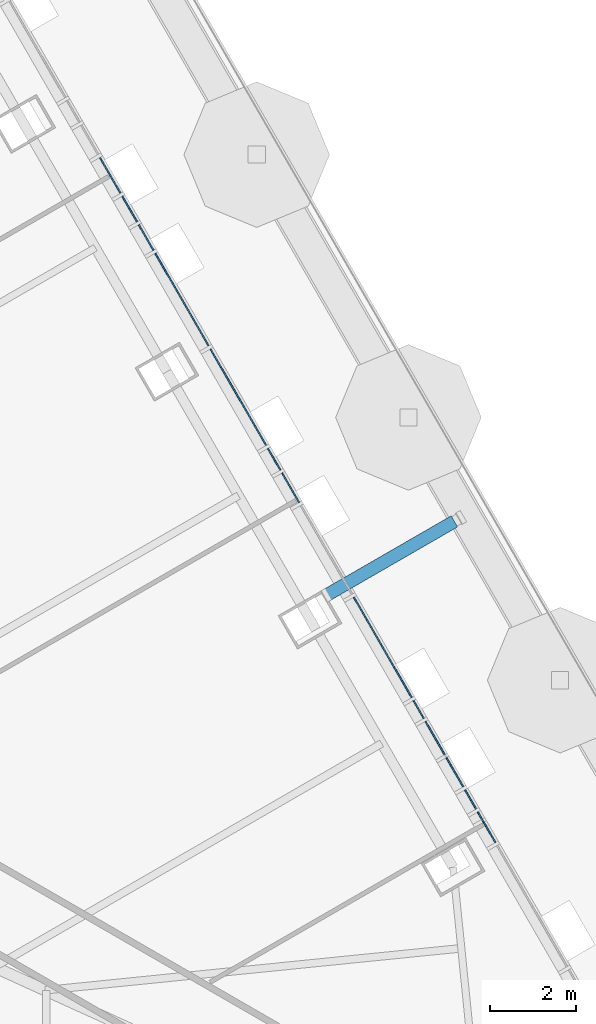
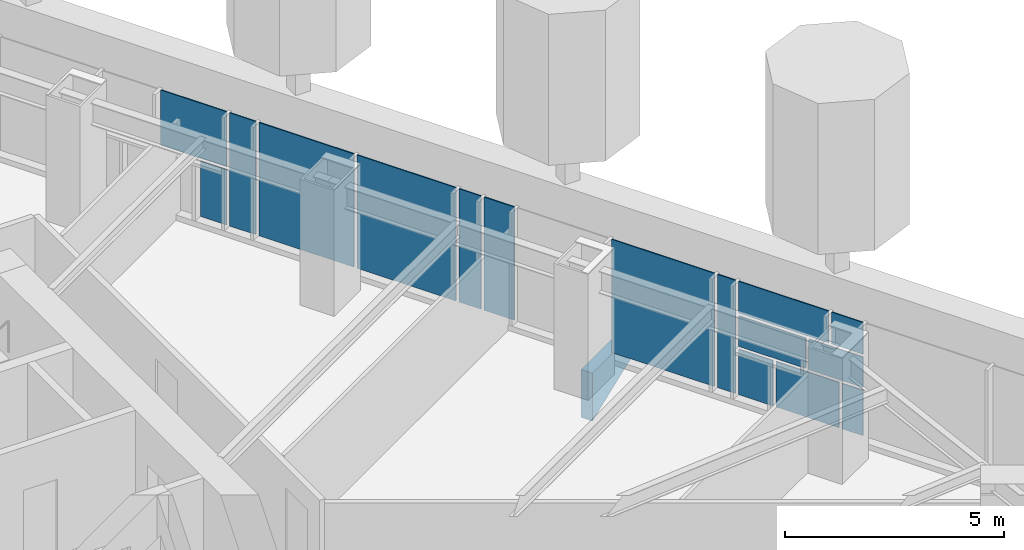
# One storey, part 13 of 24: 17 plates, 1 element without a shape of its own.
"""IFC4 building model written with IfcOpenShell, lengths in metres."""

from ifc_helpers import new_model, si_unit, direction, frame, origin, place, context, subcontext, project, spatial, polyline, outline, extrude, material, layer, layer_set, type_object, element, aggregate, save


model = new_model("IFC4")

# Units and contexts
model_context = context("Model", 3, precision=1e-05, world=origin(), true_north=direction((0.0, 1.0)))
body_context = subcontext(model_context, "Body", "Model", "MODEL_VIEW")
ifc_project = project(units=[si_unit("LENGTHUNIT", "METRE"), si_unit("AREAUNIT", "SQUARE_METRE"), si_unit("VOLUMEUNIT", "CUBIC_METRE"), si_unit("PLANEANGLEUNIT", "RADIAN"), si_unit("MASSUNIT", "GRAM", prefix="KILO")], contexts=[model_context])

# Site, building, storey
site_placement = place(None, origin())
site = spatial("IfcSite", under=ifc_project, at=site_placement, CompositionType="ELEMENT")
building_placement = place(site_placement, origin())
building = spatial("IfcBuilding", under=site, at=building_placement, Name="Firuza Gate Tower and Library", CompositionType="ELEMENT")
storey_placement = place(building_placement, frame((0.0, 0.0, 267.10009765625)))
storey = spatial("IfcBuildingStorey", under=building, at=storey_placement, Name="L63", CompositionType="ELEMENT", Elevation=267.10009765625)

# Curtain wall, plates
ifc_material_1 = material(Name="Aluminium 6063-T6", Category="aluminium")
ifc_layer_1 = layer(ifc_material_1, 0.14990234375)
ifc_layer_set_1 = layer_set([ifc_layer_1], Name="Unitised curtain wall, residences")
curtain_wall_type = type_object("IfcCurtainWallType", Name="Unitised curtain wall, residences", PredefinedType="NOTDEFINED", material=ifc_layer_set_1)
curtain_wall_placement = place(storey_placement, origin())
curtain_wall = element("IfcCurtainWall", 1, at=curtain_wall_placement, inside=storey, type_object=curtain_wall_type, Name="CW3 L63 E face", PredefinedType="NOTDEFINED")
ifc_material_2 = material(Name="Fritted glass", Category="glass")
ifc_layer_2 = layer(ifc_material_2, 0.030029296875)
ifc_layer_set_2 = layer_set([ifc_layer_2], Name="Fritted glass unit, residences")
plate_type_1 = type_object("IfcPlateType", Name="Fritted glass unit, residences", PredefinedType="CURTAIN_PANEL", material=ifc_layer_set_2)
plate_1_placement = place(storey_placement, frame((98.86865234375, 69.499755859375, 0.14990234375), z_axis=(0.865963477364, 0.500107244371, 0.0), x_axis=(-0.500107244371, 0.865963477364, 0.0)))
plate_1 = element("IfcPlate", 2, at=plate_1_placement, type_object=plate_type_1, Name="Glass unit", PredefinedType="CURTAIN_PANEL", context=body_context, shape_type="SweptSolid", body=[
    extrude(outline(polyline([(0.0, 0.0), (0.5491986093314583, 0.0), (0.5491986093314583, 1.260009765625), (0.0, 1.260009765625), (0.0, 0.0)])), origin(), (0.0, 0.0, -1.0), 0.030029296875),
])
plate_2_placement = place(storey_placement, frame((97.68408203125, 71.551513671875, 0.14990234375), z_axis=(0.866027204995, 0.499996880198, 0.0), x_axis=(-0.499996880198, 0.866027204995, 0.0)))
plate_2 = element("IfcPlate", 3, at=plate_2_placement, type_object=plate_type_1, Name="Glass unit", PredefinedType="CURTAIN_PANEL", context=body_context, shape_type="SweptSolid", body=[
    extrude(outline(polyline([(0.0, 0.0), (0.898443105928927, 0.0), (0.898443105928927, 1.2600097656249998), (0.0, 1.2600097656249998), (0.0, 0.0)])), origin(), (0.0, 0.0, -1.0), 0.030029296875),
])
plate_3_placement = place(storey_placement, frame((98.117919921875, 70.800048828125, 1.489990234375), z_axis=(0.866031355668, 0.499989690894, 0.0), x_axis=(-0.499989690894, 0.866031355668, 0.0)))
plate_3 = element("IfcPlate", 4, at=plate_3_placement, type_object=plate_type_1, Name="Glass unit", PredefinedType="CURTAIN_PANEL", context=body_context, shape_type="SweptSolid", body=[
    extrude(outline(polyline([(0.0, 0.0), (1.7661496960991352, 0.0), (1.7661496960991352, 0.844970703125), (0.0, 0.844970703125), (0.0, 0.0)])), origin(), (0.0, 0.0, -1.0), 0.030029296875),
])
plate_4_placement = place(storey_placement, frame((98.41748046875, 70.28125, 2.414794921875), z_axis=(0.866024007411, 0.500002418582, 0.0), x_axis=(-0.500002418582, 0.866024007411, 0.0)))
plate_4 = element("IfcPlate", 5, at=plate_4_placement, type_object=plate_type_1, Name="Glass unit", PredefinedType="CURTAIN_PANEL", context=body_context, shape_type="SweptSolid", body=[
    extrude(outline(polyline([(0.0, 0.0), (2.3652229340305713, 0.0), (2.3652229340305713, 0.885009765625), (0.0, 0.885009765625), (0.0, 0.0)])), origin(), (0.0, 0.0, -1.0), 0.030029296875),
])
plate_5_placement = place(storey_placement, frame((97.19482421875, 72.39892578125, 0.14990234375), z_axis=(0.865973120272, 0.500090546768, 0.0), x_axis=(-0.500090546768, 0.865973120272, 0.0)))
plate_5 = element("IfcPlate", 6, at=plate_5_placement, type_object=plate_type_1, Name="Glass unit", PredefinedType="CURTAIN_PANEL", context=body_context, shape_type="SweptSolid", body=[
    extrude(outline(polyline([(0.0, 0.0), (0.47842898460300054, 0.0), (0.47842898460300054, 3.14990234375), (0.0, 3.14990234375), (0.0, 0.0)])), origin(), (0.0, 0.0, -1.0), 0.030029296875),
])
plate_6_placement = place(storey_placement, frame((94.2841796875, 77.4404296875, 0.14990234375), z_axis=(0.86605750902, 0.499944387978, 0.0), x_axis=(-0.499944387978, 0.86605750902, 0.0)))
plate_6 = element("IfcPlate", 7, at=plate_6_placement, type_object=plate_type_1, Name="Glass unit", PredefinedType="CURTAIN_PANEL", context=body_context, shape_type="SweptSolid", body=[
    extrude(outline(polyline([(0.0, 0.0), (0.7935452925670253, 0.0), (0.7935452925670253, 3.14990234375), (0.0, 3.14990234375), (0.0, 0.0)])), origin(), (0.0, 0.0, -1.0), 0.030029296875),
])
plate_7_placement = place(storey_placement, frame((93.847412109375, 78.197021484375, 0.14990234375), z_axis=(0.866046247233, 0.49996389635, 0.0), x_axis=(-0.49996389635, 0.866046247233, 0.0)))
plate_7 = element("IfcPlate", 8, at=plate_7_placement, type_object=plate_type_1, Name="Glass unit", PredefinedType="CURTAIN_PANEL", context=body_context, shape_type="SweptSolid", body=[
    extrude(outline(polyline([(0.0, 0.0), (0.5835382294703995, 0.0), (0.5835382294703995, 3.14990234375), (0.0, 3.14990234375), (0.0, 0.0)])), origin(), (0.0, 0.0, -1.0), 0.030029296875),
])
plate_8_placement = place(storey_placement, frame((90.884033203125, 83.32958984375, 0.14990234375), z_axis=(0.866008413041, 0.500029427677, 0.0), x_axis=(-0.500029427677, 0.866008413041, 0.0)))
plate_8 = element("IfcPlate", 9, at=plate_8_placement, type_object=plate_type_1, Name="Glass unit", PredefinedType="CURTAIN_PANEL", context=body_context, shape_type="SweptSolid", body=[
    extrude(outline(polyline([(0.0, 0.0), (0.688436044352928, 0.0), (0.688436044352928, 3.14990234375), (0.0, 3.14990234375), (0.0, 0.0)])), origin(), (0.0, 0.0, -1.0), 0.030029296875),
])
plate_9_placement = place(storey_placement, frame((90.499755859375, 83.9951171875, 0.14990234375), z_axis=(0.866008413041, 0.500029427677, 0.0), x_axis=(-0.500029427677, 0.866008413041, 0.0)))
plate_9 = element("IfcPlate", 10, at=plate_9_placement, type_object=plate_type_1, Name="Glass unit", PredefinedType="CURTAIN_PANEL", context=body_context, shape_type="SweptSolid", body=[
    extrude(outline(polyline([(0.0, 0.0), (0.688436044352928, 0.0), (0.688436044352928, 1.534912109375), (0.0, 1.534912109375), (0.0, 0.0)])), origin(), (0.0, 0.0, -1.0), 0.030029296875),
])
plate_10_placement = place(storey_placement, frame((90.499755859375, 83.9951171875, 1.764892578125), z_axis=(0.866016800201, 0.500014901547, 0.0), x_axis=(-0.500014901547, 0.866016800201, 0.0)))
plate_10 = element("IfcPlate", 11, at=plate_10_placement, type_object=plate_type_1, Name="Glass unit", PredefinedType="CURTAIN_PANEL", context=body_context, shape_type="SweptSolid", body=[
    extrude(outline(polyline([(0.0, 0.0), (1.7343233118001717, 0.0), (1.7343233118001717, 1.534912109375), (0.0, 1.534912109375), (0.0, 0.0)])), origin(), (0.0, 0.0, -1.0), 0.030029296875),
])
ifc_material_3 = material(Name="Glazed ceramic tile")
ifc_layer_3 = layer(ifc_material_3, 0.030029296875)
ifc_layer_set_3 = layer_set([ifc_layer_3], Name="Opaque ceramic panel, residences")
plate_type_2 = type_object("IfcPlateType", Name="Opaque ceramic panel, residences", PredefinedType="CURTAIN_PANEL", material=ifc_layer_set_3)
plate_11_placement = place(storey_placement, frame((98.553955078125, 70.044677734375, 0.14990234375), z_axis=(0.866053323574, 0.499951638388, 0.0), x_axis=(-0.499951638388, 0.866053323574, 0.0)))
plate_11 = element("IfcPlate", 12, at=plate_11_placement, type_object=plate_type_2, Name="Opaque ceramic panel", PredefinedType="CURTAIN_PANEL", context=body_context, shape_type="SweptSolid", body=[
    extrude(outline(polyline([(0.0, 0.0), (1.6598285127156023, 0.0), (1.6598285127156023, 1.2600097656250002), (0.0, 1.2600097656250002), (0.0, 0.0)])), origin(), (0.0, 0.0, -1.0), 0.030029296875),
])
plate_12_placement = place(storey_placement, frame((98.86865234375, 69.499755859375, 1.489990234375), z_axis=(0.866025408043, 0.499999992624, 0.0), x_axis=(-0.499999992624, 0.866025408043, 0.0)))
plate_12 = element("IfcPlate", 13, at=plate_12_placement, type_object=plate_type_2, Name="Opaque ceramic panel", PredefinedType="CURTAIN_PANEL", context=body_context, shape_type="SweptSolid", body=[
    extrude(outline(polyline([(0.0, 0.0), (1.4213867397170752, 0.0), (1.4213867397170752, 0.844970703125), (0.0, 0.844970703125), (0.0, 0.0)])), origin(), (0.0, 0.0, -1.0), 0.030029296875),
])
plate_13_placement = place(storey_placement, frame((98.86865234375, 69.499755859375, 2.414794921875), z_axis=(0.866042210515, 0.499970888758, 0.0), x_axis=(-0.499970888758, 0.866042210515, 0.0)))
plate_13 = element("IfcPlate", 14, at=plate_13_placement, type_object=plate_type_2, Name="Opaque ceramic panel", PredefinedType="CURTAIN_PANEL", context=body_context, shape_type="SweptSolid", body=[
    extrude(outline(polyline([(0.0, 0.0), (0.8223135021343069, 0.0), (0.8223135021343069, 0.885009765625), (0.0, 0.885009765625), (0.0, 0.0)])), origin(), (0.0, 0.0, -1.0), 0.030029296875),
])
plate_14_placement = place(storey_placement, frame((96.91552734375, 72.882568359375, 0.14990234375), z_axis=(0.86601598821, 0.500016307898, 0.0), x_axis=(-0.500016307898, 0.86601598821, 0.0)))
plate_14 = element("IfcPlate", 15, at=plate_14_placement, type_object=plate_type_2, Name="Opaque ceramic panel", PredefinedType="CURTAIN_PANEL", context=body_context, shape_type="SweptSolid", body=[
    extrude(outline(polyline([(0.0, 0.0), (2.7088960222001783, 0.0), (2.7088960222001783, 3.14990234375), (0.0, 3.14990234375), (0.0, 0.0)])), origin(), (0.0, 0.0, -1.0), 0.030029296875),
])
plate_15_placement = place(storey_placement, frame((93.515625, 78.771484375, 0.14990234375), z_axis=(0.866024771944, 0.500001094379, 0.0), x_axis=(-0.500001094379, 0.866024771944, 0.0)))
plate_15 = element("IfcPlate", 16, at=plate_15_placement, type_object=plate_type_2, Name="Opaque ceramic panel", PredefinedType="CURTAIN_PANEL", context=body_context, shape_type="SweptSolid", body=[
    extrude(outline(polyline([(0.0, 0.0), (2.6039982067298277, 0.0), (2.6039982067298277, 3.14990234375), (0.0, 3.14990234375), (0.0, 0.0)])), origin(), (0.0, 0.0, -1.0), 0.030029296875),
])
plate_16_placement = place(storey_placement, frame((92.173583984375, 81.095947265625, 0.14990234375), z_axis=(0.866034292756, 0.499984603534, 0.0), x_axis=(-0.499984603534, 0.866034292756, 0.0)))
plate_16 = element("IfcPlate", 17, at=plate_16_placement, type_object=plate_type_2, Name="Opaque ceramic panel", PredefinedType="CURTAIN_PANEL", context=body_context, shape_type="SweptSolid", body=[
    extrude(outline(polyline([(0.0, 0.0), (2.499100392130547, 0.0), (2.499100392130547, 3.149902343750001), (0.0, 3.149902343750001), (0.0, 0.0)])), origin(), (0.0, 0.0, -1.0), 0.030029296875),
])
aggregate(curtain_wall, [plate_1, plate_11, plate_2, plate_12, plate_3, plate_13, plate_4, plate_5, plate_14, plate_6, plate_7, plate_15, plate_16, plate_8, plate_9, plate_10])

# Plate
ifc_material_4 = material(Name="Steel S355", Category="steel")
ifc_layer_4 = layer(ifc_material_4, 0.300048828125)
ifc_layer_set_4 = layer_set([ifc_layer_4], Name="Tray bracket web 300 Steel S355")
plate_type_3 = type_object("IfcPlateType", Name="Tray bracket web 300 Steel S355", PredefinedType="SHEET", material=ifc_layer_set_4)
plate_17_placement = place(storey_placement, frame((94.85205078125, 75.406982421875, -0.2001953125), z_axis=(-0.499868315584, 0.86610141847, 0.0), x_axis=(0.86610141847, 0.499868315584, 0.0)))
element("IfcPlate", 18, at=plate_17_placement, inside=storey, type_object=plate_type_3, Name="Tray bracket web L63 col:L62:E2", PredefinedType="SHEET", context=body_context, shape_type="SweptSolid", body=[
    extrude(outline(polyline([(0.0, 0.0), (3.4291257811032914, 0.0), (0.0, 1.333984375), (0.0, 0.0)])), origin(), (0.0, 0.0, -1.0), 0.300048828125),
])

save(model, "model.ifc")
